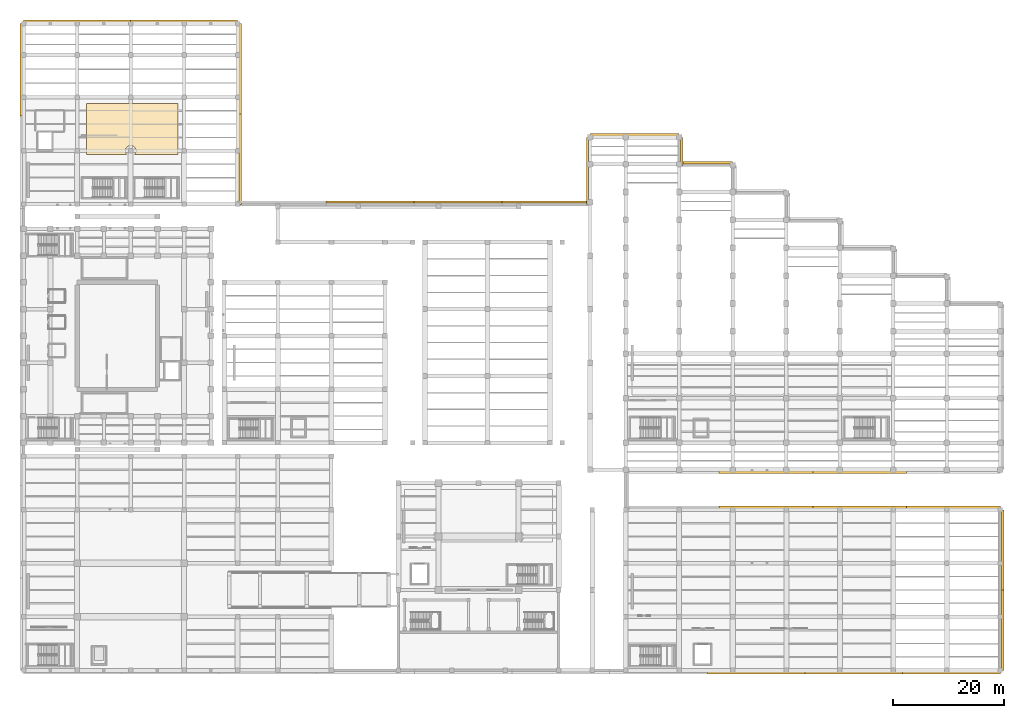
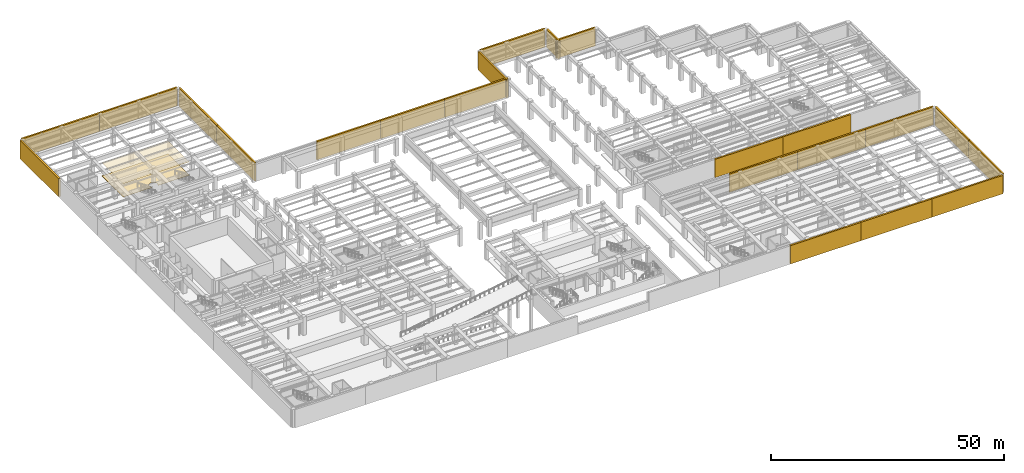
# One storey, part 42 of 45: 24 coverings.
"""IFC4 building model written with IfcOpenShell, lengths in metres."""

from ifc_helpers import new_model, si_unit, direction, frame, origin, place, context, subcontext, project, spatial, polyline, outline, extrude, material, layer, layer_set, type_object, element, save


model = new_model("IFC4")

# Units and contexts
model_context = context("Model", 3, precision=1e-05, world=origin(), true_north=direction((0.0, 1.0)))
body_context = subcontext(model_context, "Body", "Model", "MODEL_VIEW")
ifc_project = project(units=[si_unit("LENGTHUNIT", "METRE"), si_unit("AREAUNIT", "SQUARE_METRE"), si_unit("VOLUMEUNIT", "CUBIC_METRE"), si_unit("PLANEANGLEUNIT", "RADIAN"), si_unit("MASSUNIT", "GRAM", prefix="KILO")], contexts=[model_context])

# Site, building, storey
site_placement = place(None, origin())
site = spatial("IfcSite", under=ifc_project, at=site_placement, CompositionType="ELEMENT")
building_placement = place(site_placement, origin())
building = spatial("IfcBuilding", under=site, at=building_placement, Name="Mavantir Sound Aquarium", CompositionType="ELEMENT")
storey_placement = place(building_placement, frame((0.0, 0.0, -4.800048828125)))
storey = spatial("IfcBuildingStorey", under=building, at=storey_placement, Name="B1", CompositionType="ELEMENT", Elevation=-4.800048828125)

# Coverings
ifc_material_1 = material(Name="Moisture-Resistant Acoustic Mineral Fibre Tile")
ifc_layer_1 = layer(ifc_material_1, 0.02490234375, Name="Moisture-Resistant Acoustic Mineral Fibre Tile")
ifc_layer_set_1 = layer_set([ifc_layer_1], Name="Moisture-Resistant Acoustic Mineral Fibre Tile")
covering_type_1 = type_object("IfcCoveringType", Name="COV-CEIL-AC", PredefinedType="CEILING", material=ifc_layer_set_1)
covering_1_placement = place(storey_placement, frame((0.0, 0.0, 3.470947265625)))
element("IfcCovering", 1, at=covering_1_placement, inside=storey, type_object=covering_type_1, Name="B1 Marine Research Wet Core and Seawater Lab Reserve suspended acoustic ceiling", PredefinedType="CEILING", context=body_context, shape_type="SweptSolid", body=[
    extrude(outline(polyline([(27.659912109375, 101.659912109375), (27.659912109375, 92.5), (19.840576171875, 92.5), (19.871826171875, 92.5283203125), (19.934326171875, 92.597412109375), (19.989990234375, 92.672119140625), (20.037841796875, 92.752197265625), (20.07763671875, 92.83642578125), (20.109130859375, 92.92431640625), (20.131591796875, 93.0146484375), (20.1455078125, 93.10693359375), (20.14990234375, 93.199951171875), (20.1455078125, 93.293212890625), (20.131591796875, 93.38525390625), (20.109130859375, 93.475830078125), (20.07763671875, 93.5634765625), (20.037841796875, 93.647705078125), (19.989990234375, 93.727783203125), (19.934326171875, 93.802734375), (19.871826171875, 93.871826171875), (19.802734375, 93.934326171875), (19.727783203125, 93.989990234375), (19.647705078125, 94.037841796875), (19.5634765625, 94.07763671875), (19.475830078125, 94.109130859375), (19.38525390625, 94.131591796875), (19.293212890625, 94.1455078125), (19.199951171875, 94.14990234375), (19.10693359375, 94.1455078125), (19.0146484375, 94.131591796875), (18.92431640625, 94.109130859375), (18.83642578125, 94.07763671875), (18.752197265625, 94.037841796875), (18.672119140625, 93.989990234375), (18.597412109375, 93.934326171875), (18.5283203125, 93.871826171875), (18.465576171875, 93.802734375), (18.41015625, 93.727783203125), (18.3623046875, 93.647705078125), (18.322265625, 93.5634765625), (18.291015625, 93.475830078125), (18.268310546875, 93.38525390625), (18.254638671875, 93.293212890625), (18.25, 93.199951171875), (18.254638671875, 93.10693359375), (18.268310546875, 93.0146484375), (18.291015625, 92.92431640625), (18.322265625, 92.83642578125), (18.3623046875, 92.752197265625), (18.41015625, 92.672119140625), (18.465576171875, 92.597412109375), (18.5283203125, 92.5283203125), (18.559326171875, 92.5), (11.300048828125, 92.5), (11.300048828125, 101.659912109375), (27.659912109375, 101.659912109375)])), origin(), (0.0, 0.0, 1.0), 0.025146484375),
])
ifc_material_2 = material(Name="Honed Coral-Limestone & Glazed Terracotta Rainscreen Cladding", Category="masonry")
ifc_layer_2 = layer(ifc_material_2, 0.06005859375, Name="Honed Coral-Limestone & Glazed Terracotta Rainscreen Cladding")
ifc_layer_set_2 = layer_set([ifc_layer_2], Name="Honed Coral-Limestone & Glazed Terracotta Rainscreen Cladding")
covering_type_2 = type_object("IfcCoveringType", Name="COV-CLAD-TC", PredefinedType="CLADDING", material=ifc_layer_set_2)
covering_2_placement = place(storey_placement, origin())
element("IfcCovering", 2, at=covering_2_placement, inside=storey, type_object=covering_type_2, Name="B1 rusticated coral-stone plinth cladding 1", PredefinedType="CLADDING", context=body_context, shape_type="SweptSolid", body=[
    extrude(outline(polyline([(175.449951171875, 0.0), (175.449951171875, 14.39990234375), (175.860107421875, 14.39990234375), (175.860107421875, 0.0), (175.449951171875, 0.0)])), origin(), (0.0, 0.0, 1.0), 4.800048828125),
])
covering_3_placement = place(storey_placement, origin())
element("IfcCovering", 3, at=covering_3_placement, inside=storey, type_object=covering_type_2, Name="B1 rusticated coral-stone plinth cladding 2", PredefinedType="CLADDING", context=body_context, shape_type="SweptSolid", body=[
    extrude(outline(polyline([(175.449951171875, 14.39990234375), (175.449951171875, 28.800048828125), (175.860107421875, 28.800048828125), (175.860107421875, 14.39990234375), (175.449951171875, 14.39990234375)])), origin(), (0.0, 0.0, 1.0), 4.800048828125),
])
covering_4_placement = place(storey_placement, origin())
element("IfcCovering", 4, at=covering_4_placement, inside=storey, type_object=covering_type_2, Name="B1 rusticated coral-stone plinth cladding 3", PredefinedType="CLADDING", context=body_context, shape_type="SweptSolid", body=[
    extrude(outline(polyline([(175.199951171875, 29.050048828125), (158.387451171875, 29.050048828125), (158.387451171875, 29.4599609375), (175.199951171875, 29.4599609375), (175.199951171875, 29.050048828125)])), origin(), (0.0, 0.0, 1.0), 4.800048828125),
])
covering_5_placement = place(storey_placement, origin())
element("IfcCovering", 5, at=covering_5_placement, inside=storey, type_object=covering_type_2, Name="B1 rusticated coral-stone plinth cladding 4", PredefinedType="CLADDING", context=body_context, shape_type="SweptSolid", body=[
    extrude(outline(polyline([(158.387451171875, 29.050048828125), (141.574951171875, 29.050048828125), (141.574951171875, 29.4599609375), (158.387451171875, 29.4599609375), (158.387451171875, 29.050048828125)])), origin(), (0.0, 0.0, 1.0), 4.800048828125),
])
covering_6_placement = place(storey_placement, origin())
element("IfcCovering", 6, at=covering_6_placement, inside=storey, type_object=covering_type_2, Name="B1 rusticated coral-stone plinth cladding 5", PredefinedType="CLADDING", context=body_context, shape_type="SweptSolid", body=[
    extrude(outline(polyline([(141.574951171875, 29.050048828125), (124.762451171875, 29.050048828125), (124.762451171875, 29.4599609375), (141.574951171875, 29.4599609375), (141.574951171875, 29.050048828125)])), origin(), (0.0, 0.0, 1.0), 4.800048828125),
])
covering_7_placement = place(storey_placement, origin())
element("IfcCovering", 7, at=covering_7_placement, inside=storey, type_object=covering_type_2, Name="B1 rusticated coral-stone plinth cladding 9", PredefinedType="CLADDING", context=body_context, shape_type="SweptSolid", body=[
    extrude(outline(polyline([(124.762451171875, 35.75), (141.574951171875, 35.75), (141.574951171875, 35.340087890625), (124.762451171875, 35.340087890625), (124.762451171875, 35.75)])), origin(), (0.0, 0.0, 1.0), 4.800048828125),
])
covering_8_placement = place(storey_placement, origin())
element("IfcCovering", 8, at=covering_8_placement, inside=storey, type_object=covering_type_2, Name="B1 rusticated coral-stone plinth cladding 10", PredefinedType="CLADDING", context=body_context, shape_type="SweptSolid", body=[
    extrude(outline(polyline([(141.574951171875, 35.75), (158.387451171875, 35.75), (158.387451171875, 35.340087890625), (141.574951171875, 35.340087890625), (141.574951171875, 35.75)])), origin(), (0.0, 0.0, 1.0), 4.800048828125),
])
covering_9_placement = place(storey_placement, origin())
element("IfcCovering", 9, at=covering_9_placement, inside=storey, type_object=covering_type_2, Name="B1 rusticated coral-stone plinth cladding 24", PredefinedType="CLADDING", context=body_context, shape_type="SweptSolid", body=[
    extrude(outline(polyline([(127.199951171875, 90.85009765625), (117.60009765625, 90.85009765625), (117.60009765625, 91.260009765625), (127.199951171875, 91.260009765625), (127.199951171875, 90.85009765625)])), origin(), (0.0, 0.0, 1.0), 4.800048828125),
])
covering_10_placement = place(storey_placement, origin())
element("IfcCovering", 10, at=covering_10_placement, inside=storey, type_object=covering_type_2, Name="B1 rusticated coral-stone plinth cladding 25", PredefinedType="CLADDING", context=body_context, shape_type="SweptSolid", body=[
    extrude(outline(polyline([(117.85009765625, 90.60009765625), (117.85009765625, 95.60009765625), (118.260009765625, 95.60009765625), (118.260009765625, 90.60009765625), (117.85009765625, 90.60009765625)])), origin(), (0.0, 0.0, 1.0), 4.800048828125),
])
covering_11_placement = place(storey_placement, origin())
element("IfcCovering", 11, at=covering_11_placement, inside=storey, type_object=covering_type_2, Name="B1 rusticated coral-stone plinth cladding 26", PredefinedType="CLADDING", context=body_context, shape_type="SweptSolid", body=[
    extrude(outline(polyline([(117.60009765625, 95.85009765625), (101.60009765625, 95.85009765625), (101.60009765625, 96.260009765625), (117.60009765625, 96.260009765625), (117.60009765625, 95.85009765625)])), origin(), (0.0, 0.0, 1.0), 4.800048828125),
])
covering_12_placement = place(storey_placement, origin())
element("IfcCovering", 12, at=covering_12_placement, inside=storey, type_object=covering_type_2, Name="B1 rusticated coral-stone plinth cladding 27", PredefinedType="CLADDING", context=body_context, shape_type="SweptSolid", body=[
    extrude(outline(polyline([(101.35009765625, 95.60009765625), (101.35009765625, 83.550048828125), (100.93994140625, 83.550048828125), (100.93994140625, 95.60009765625), (101.35009765625, 95.60009765625)])), origin(), (0.0, 0.0, 1.0), 4.800048828125),
])
covering_13_placement = place(storey_placement, origin())
element("IfcCovering", 13, at=covering_13_placement, inside=storey, type_object=covering_type_2, Name="B1 rusticated coral-stone plinth cladding 28", PredefinedType="CLADDING", context=body_context, shape_type="SweptSolid", body=[
    extrude(outline(polyline([(101.60009765625, 83.800048828125), (85.800048828125, 83.800048828125), (85.800048828125, 84.2099609375), (101.60009765625, 84.2099609375), (101.60009765625, 83.800048828125)])), origin(), (0.0, 0.0, 1.0), 4.800048828125),
])
covering_14_placement = place(storey_placement, origin())
element("IfcCovering", 14, at=covering_14_placement, inside=storey, type_object=covering_type_2, Name="B1 rusticated coral-stone plinth cladding 29", PredefinedType="CLADDING", context=body_context, shape_type="SweptSolid", body=[
    extrude(outline(polyline([(85.800048828125, 83.800048828125), (70.0, 83.800048828125), (70.0, 84.2099609375), (85.800048828125, 84.2099609375), (85.800048828125, 83.800048828125)])), origin(), (0.0, 0.0, 1.0), 4.800048828125),
])
covering_15_placement = place(storey_placement, origin())
element("IfcCovering", 15, at=covering_15_placement, inside=storey, type_object=covering_type_2, Name="B1 rusticated coral-stone plinth cladding 30", PredefinedType="CLADDING", context=body_context, shape_type="SweptSolid", body=[
    extrude(outline(polyline([(70.0, 83.800048828125), (54.199951171875, 83.800048828125), (54.199951171875, 84.2099609375), (70.0, 84.2099609375), (70.0, 83.800048828125)])), origin(), (0.0, 0.0, 1.0), 4.800048828125),
])
covering_16_placement = place(storey_placement, origin())
element("IfcCovering", 16, at=covering_16_placement, inside=storey, type_object=covering_type_2, Name="B1 rusticated coral-stone plinth cladding 32", PredefinedType="CLADDING", context=body_context, shape_type="SweptSolid", body=[
    extrude(outline(polyline([(38.64990234375, 83.550048828125), (38.64990234375, 99.77490234375), (39.06005859375, 99.77490234375), (39.06005859375, 83.550048828125), (38.64990234375, 83.550048828125)])), origin(), (0.0, 0.0, 1.0), 4.800048828125),
])
covering_17_placement = place(storey_placement, origin())
element("IfcCovering", 17, at=covering_17_placement, inside=storey, type_object=covering_type_2, Name="B1 rusticated coral-stone plinth cladding 33", PredefinedType="CLADDING", context=body_context, shape_type="SweptSolid", body=[
    extrude(outline(polyline([(38.64990234375, 99.77490234375), (38.64990234375, 116.0), (39.06005859375, 116.0), (39.06005859375, 99.77490234375), (38.64990234375, 99.77490234375)])), origin(), (0.0, 0.0, 1.0), 4.800048828125),
])
covering_18_placement = place(storey_placement, origin())
element("IfcCovering", 18, at=covering_18_placement, inside=storey, type_object=covering_type_2, Name="B1 rusticated coral-stone plinth cladding 34", PredefinedType="CLADDING", context=body_context, shape_type="SweptSolid", body=[
    extrude(outline(polyline([(38.39990234375, 116.25), (19.199951171875, 116.25), (19.199951171875, 116.659912109375), (38.39990234375, 116.659912109375), (38.39990234375, 116.25)])), origin(), (0.0, 0.0, 1.0), 4.800048828125),
])
covering_19_placement = place(storey_placement, origin())
element("IfcCovering", 19, at=covering_19_placement, inside=storey, type_object=covering_type_2, Name="B1 rusticated coral-stone plinth cladding 35", PredefinedType="CLADDING", context=body_context, shape_type="SweptSolid", body=[
    extrude(outline(polyline([(19.199951171875, 116.25), (0.0, 116.25), (0.0, 116.659912109375), (19.199951171875, 116.659912109375), (19.199951171875, 116.25)])), origin(), (0.0, 0.0, 1.0), 4.800048828125),
])
covering_20_placement = place(storey_placement, origin())
element("IfcCovering", 20, at=covering_20_placement, inside=storey, type_object=covering_type_2, Name="B1 rusticated coral-stone plinth cladding 36", PredefinedType="CLADDING", context=body_context, shape_type="SweptSolid", body=[
    extrude(outline(polyline([(-0.25, 116.0), (-0.25, 99.4287109375), (-0.659912109375, 99.4287109375), (-0.659912109375, 116.0), (-0.25, 116.0)])), origin(), (0.0, 0.0, 1.0), 4.800048828125),
])
covering_21_placement = place(storey_placement, origin())
element("IfcCovering", 21, at=covering_21_placement, inside=storey, type_object=covering_type_2, Name="B1 rusticated coral-stone plinth cladding 50", PredefinedType="CLADDING", context=body_context, shape_type="SweptSolid", body=[
    extrude(outline(polyline([(122.639892578125, -0.25), (140.159912109375, -0.25), (140.159912109375, -0.659912109375), (122.639892578125, -0.659912109375), (122.639892578125, -0.25)])), origin(), (0.0, 0.0, 1.0), 4.800048828125),
])
covering_22_placement = place(storey_placement, origin())
element("IfcCovering", 22, at=covering_22_placement, inside=storey, type_object=covering_type_2, Name="B1 rusticated coral-stone plinth cladding 51", PredefinedType="CLADDING", context=body_context, shape_type="SweptSolid", body=[
    extrude(outline(polyline([(140.159912109375, -0.25), (157.679931640625, -0.25), (157.679931640625, -0.659912109375), (140.159912109375, -0.659912109375), (140.159912109375, -0.25)])), origin(), (0.0, 0.0, 1.0), 4.800048828125),
])
covering_23_placement = place(storey_placement, origin())
element("IfcCovering", 23, at=covering_23_placement, inside=storey, type_object=covering_type_2, Name="B1 rusticated coral-stone plinth cladding 52", PredefinedType="CLADDING", context=body_context, shape_type="SweptSolid", body=[
    extrude(outline(polyline([(157.679931640625, -0.25), (175.199951171875, -0.25), (175.199951171875, -0.659912109375), (157.679931640625, -0.659912109375), (157.679931640625, -0.25)])), origin(), (0.0, 0.0, 1.0), 4.800048828125),
])
ifc_material_3 = material(Name="Marine Epoxy Recycled-Shell Terrazzo Flooring")
ifc_layer_3 = layer(ifc_material_3, 0.030029296875, Name="Marine Epoxy Recycled-Shell Terrazzo Flooring")
ifc_layer_set_3 = layer_set([ifc_layer_3], Name="Marine Epoxy Recycled-Shell Terrazzo Flooring")
covering_type_3 = type_object("IfcCoveringType", Name="COV-FLR-TZ", PredefinedType="FLOORING", material=ifc_layer_set_3)
covering_24_placement = place(storey_placement, origin())
element("IfcCovering", 24, at=covering_24_placement, inside=storey, type_object=covering_type_3, Name="B1 Marine Research Wet Core and Seawater Lab Reserve terrazzo flooring", PredefinedType="FLOORING", context=body_context, shape_type="SweptSolid", body=[
    extrude(outline(polyline([(27.659912109375, 101.659912109375), (27.659912109375, 92.5), (19.840576171875, 92.5), (19.871826171875, 92.5283203125), (19.934326171875, 92.597412109375), (19.989990234375, 92.672119140625), (20.037841796875, 92.752197265625), (20.07763671875, 92.83642578125), (20.109130859375, 92.92431640625), (20.131591796875, 93.0146484375), (20.1455078125, 93.10693359375), (20.14990234375, 93.199951171875), (20.1455078125, 93.293212890625), (20.131591796875, 93.38525390625), (20.109130859375, 93.475830078125), (20.07763671875, 93.5634765625), (20.037841796875, 93.647705078125), (19.989990234375, 93.727783203125), (19.934326171875, 93.802734375), (19.871826171875, 93.871826171875), (19.802734375, 93.934326171875), (19.727783203125, 93.989990234375), (19.647705078125, 94.037841796875), (19.5634765625, 94.07763671875), (19.475830078125, 94.109130859375), (19.38525390625, 94.131591796875), (19.293212890625, 94.1455078125), (19.199951171875, 94.14990234375), (19.10693359375, 94.1455078125), (19.0146484375, 94.131591796875), (18.92431640625, 94.109130859375), (18.83642578125, 94.07763671875), (18.752197265625, 94.037841796875), (18.672119140625, 93.989990234375), (18.597412109375, 93.934326171875), (18.5283203125, 93.871826171875), (18.465576171875, 93.802734375), (18.41015625, 93.727783203125), (18.3623046875, 93.647705078125), (18.322265625, 93.5634765625), (18.291015625, 93.475830078125), (18.268310546875, 93.38525390625), (18.254638671875, 93.293212890625), (18.25, 93.199951171875), (18.254638671875, 93.10693359375), (18.268310546875, 93.0146484375), (18.291015625, 92.92431640625), (18.322265625, 92.83642578125), (18.3623046875, 92.752197265625), (18.41015625, 92.672119140625), (18.465576171875, 92.597412109375), (18.5283203125, 92.5283203125), (18.559326171875, 92.5), (11.300048828125, 92.5), (11.300048828125, 101.659912109375), (27.659912109375, 101.659912109375)])), origin(), (0.0, 0.0, 1.0), 0.030029296875),
])

save(model, "model.ifc")
